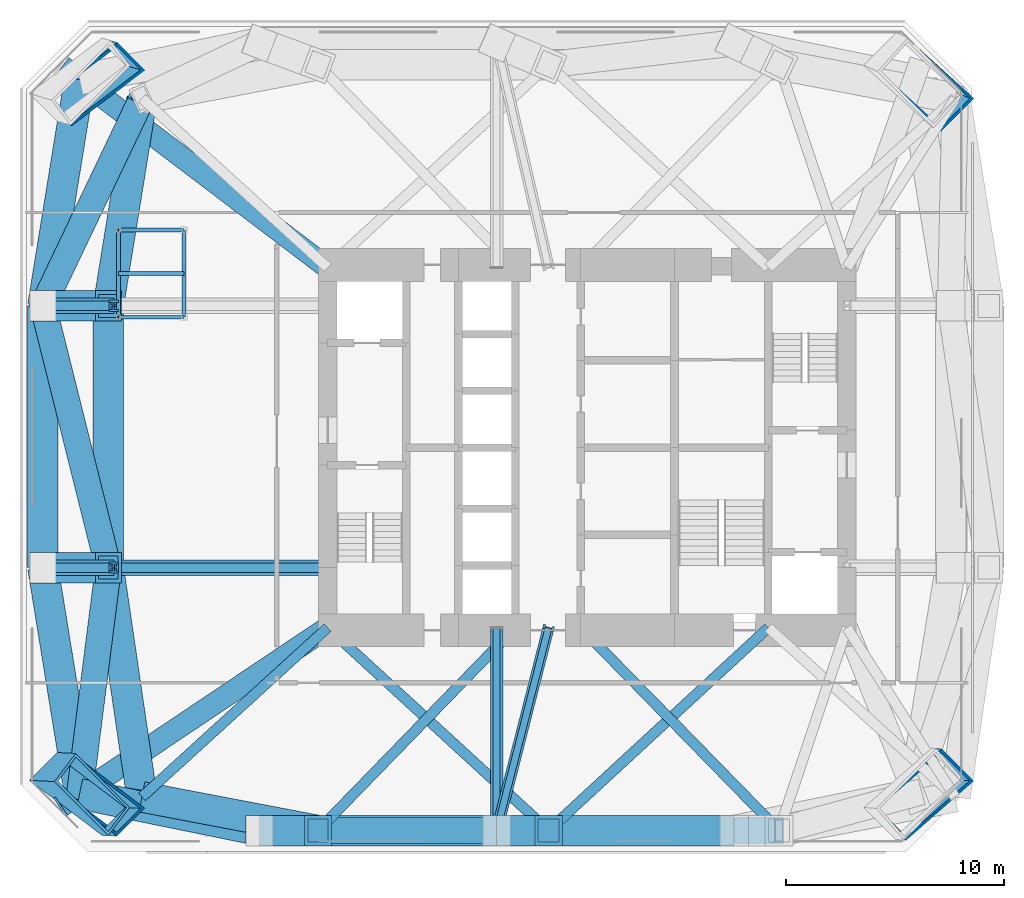
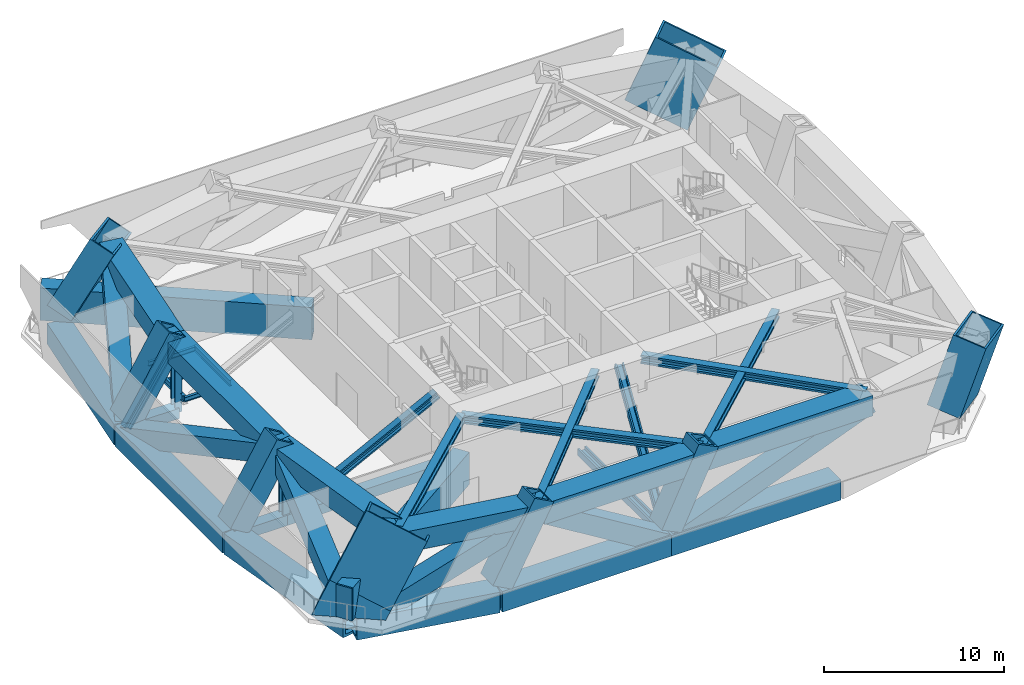
# One storey, part 1 of 11: 39 members, 7 beams, 4 columns.
"""IFC4 building model written with IfcOpenShell, lengths in metres."""

from ifc_helpers import new_model, si_unit, direction, frame, origin, origin_2d, place, context, subcontext, project, spatial, rectangle, hollow_rectangle, i_section, extrude, clip, halfspace, material, material_profile, profile_set, type_object, element, save


model = new_model("IFC4")

# Units and contexts
model_context = context("Model", 3, precision=1e-05, world=origin(), true_north=direction((0.0, 1.0)))
body_context = subcontext(model_context, "Body", "Model", "MODEL_VIEW")
ifc_project = project(units=[si_unit("LENGTHUNIT", "METRE"), si_unit("AREAUNIT", "SQUARE_METRE"), si_unit("VOLUMEUNIT", "CUBIC_METRE"), si_unit("PLANEANGLEUNIT", "RADIAN"), si_unit("MASSUNIT", "GRAM", prefix="KILO")], contexts=[model_context])

# Site, building, storey
site_placement = place(None, origin())
site = spatial("IfcSite", under=ifc_project, at=site_placement, CompositionType="ELEMENT")
building_placement = place(site_placement, origin())
building = spatial("IfcBuilding", under=site, at=building_placement, Name="Jalousie Tower", CompositionType="ELEMENT")
storey_placement = place(building_placement, frame((0.0, 0.0, 144.35009765625)))
storey = spatial("IfcBuildingStorey", under=building, at=storey_placement, Name="L39", CompositionType="ELEMENT", Elevation=144.35009765625)

# Columns
ifc_material_1 = material(Name="Steel EN 10025-2 S355J2 plate", Category="steel")
ifc_material_profile_1 = material_profile(ifc_material_1, hollow_rectangle(XDim=1.699951171875, YDim=3.800048828125, WallThickness=0.125, at=origin_2d()), Name="BOX 3800x1700x125")
ifc_profile_set_1 = profile_set([ifc_material_profile_1], Name="Steel EN 10025-2 S355J2 plate")
column_type_1 = type_object("IfcColumnType", Name="BUILT-UP BOX CORNER COLUMN BOX 3800x1700x125", PredefinedType="COLUMN", material=ifc_profile_set_1)
column_1_placement = place(storey_placement, frame((9.204833984375, 2.60302734375, 1.0029296875), z_axis=(0.496185797587, -0.024535961807, 0.86786959899), x_axis=(0.574504419139, 0.758742156572, -0.30700979175)))
element("IfcColumn", 1, at=column_1_placement, inside=storey, type_object=column_type_1, Name="Corner column raked 01 L39", PredefinedType="COLUMN", context=body_context, shape_type="SweptSolid", body=[
    extrude(hollow_rectangle(XDim=1.699951171875, YDim=3.800048828125, WallThickness=0.125, at=origin_2d()), origin(), (0.0, 0.0, 1.0), 4.60546875),
])
ifc_material_2 = material(Name="Steel EN 10025-2 S355J2 plate", Category="steel")
ifc_material_profile_2 = material_profile(ifc_material_2, hollow_rectangle(XDim=2.10009765625, YDim=3.89990234375, WallThickness=0.125, at=origin_2d()), Name="BOX 3900x2100x125")
ifc_profile_set_2 = profile_set([ifc_material_profile_2], Name="Steel EN 10025-2 S355J2 plate")
column_type_2 = type_object("IfcColumnType", Name="BUILT-UP BOX CORNER COLUMN BOX 3900x2100x125", PredefinedType="COLUMN", material=ifc_profile_set_2)
column_2_placement = place(storey_placement, frame((47.18603515625, 35.224609375, 0.8388671875), z_axis=(0.349327167669, -0.158588311436, 0.923482689282), x_axis=(-0.666102921381, -0.735188870478, 0.125714847386)))
element("IfcColumn", 2, at=column_2_placement, inside=storey, type_object=column_type_2, Name="Corner column raked 08 L39", PredefinedType="COLUMN", context=body_context, shape_type="SweptSolid", body=[
    extrude(hollow_rectangle(XDim=2.10009765625, YDim=3.89990234375, WallThickness=0.125, at=origin_2d()), origin(), (0.0, 0.0, 1.0), 4.506103515625),
])
ifc_material_3 = material(Name="Steel EN 10025-2 S355J2 plate", Category="steel")
ifc_material_profile_3 = material_profile(ifc_material_3, hollow_rectangle(XDim=1.60009765625, YDim=4.0, WallThickness=0.125, at=origin_2d()), Name="BOX 4000x1600x125")
ifc_profile_set_3 = profile_set([ifc_material_profile_3], Name="Steel EN 10025-2 S355J2 plate")
column_type_3 = type_object("IfcColumnType", Name="BUILT-UP BOX CORNER COLUMN BOX 4000x1600x125", PredefinedType="COLUMN", material=ifc_profile_set_3)
column_3_placement = place(storey_placement, frame((9.14111328125, 35.215576171875, 0.891845703125), z_axis=(0.490909795378, -0.147453219775, 0.858641439007), x_axis=(0.544091146269, -0.717848892174, -0.434347548117)))
element("IfcColumn", 3, at=column_3_placement, inside=storey, type_object=column_type_3, Name="Corner column raked 12 L39", PredefinedType="COLUMN", context=body_context, shape_type="SweptSolid", body=[
    extrude(hollow_rectangle(XDim=1.60009765625, YDim=4.0, WallThickness=0.125, at=origin_2d()), origin(), (0.0, 0.0, 1.0), 4.784423828125),
])
ifc_material_4 = material(Name="Steel EN 10025-2 S355J2 plate", Category="steel")
ifc_material_profile_4 = material_profile(ifc_material_4, hollow_rectangle(XDim=2.0, YDim=4.0, WallThickness=0.125, at=origin_2d()), Name="BOX 4000x2000x125")
ifc_profile_set_4 = profile_set([ifc_material_profile_4], Name="Steel EN 10025-2 S355J2 plate")
column_type_4 = type_object("IfcColumnType", Name="BUILT-UP BOX CORNER COLUMN BOX 4000x2000x125", PredefinedType="COLUMN", material=ifc_profile_set_4)
column_4_placement = place(storey_placement, frame((47.149169921875, 2.6103515625, 0.741455078125), z_axis=(0.353681007575, -0.026433626357, 0.934992517766), x_axis=(-0.635447068819, 0.726725043454, 0.260917101675)))
element("IfcColumn", 4, at=column_4_placement, inside=storey, type_object=column_type_4, Name="Corner column raked 05 L39", PredefinedType="COLUMN", context=body_context, shape_type="SweptSolid", body=[
    extrude(hollow_rectangle(XDim=2.0, YDim=4.0, WallThickness=0.125, at=origin_2d()), origin(), (0.0, 0.0, 1.0), 4.5546875),
])

# Members
ifc_material_5 = material(Name="Steel EN 10025-2 S355J2 plate", Category="steel")
ifc_material_profile_5 = material_profile(ifc_material_5, hollow_rectangle(XDim=1.39990234375, YDim=1.39990234375, WallThickness=0.175048828125, at=origin_2d()), Name="BOX 1400x1400x175")
ifc_profile_set_5 = profile_set([ifc_material_profile_5], Name="Steel EN 10025-2 S355J2 plate")
member_type_1 = type_object("IfcMemberType", Name="BELT TRUSS CHORD BOX 1400x1400x175", PredefinedType="CHORD", material=ifc_profile_set_5)
member_1_placement = place(storey_placement, frame((8.63134765625, 2.63134765625, -0.97998046875), z_axis=(0.97982690954, -0.199848010602, 0.0), x_axis=(0.199848010602, 0.97982690954, 0.0)))
element("IfcMember", 5, at=member_1_placement, inside=storey, type_object=member_type_1, Name="Belt truss T2 01-02 chord L39", PredefinedType="CHORD", context=body_context, shape_type="SweptSolid", body=[
    extrude(hollow_rectangle(XDim=1.39990234375, YDim=1.39990234375, WallThickness=0.175048828125, at=origin_2d()), origin(), (0.0, 0.0, 1.0), 8.413330078125),
])
member_2_placement = place(storey_placement, frame((11.489990234375, 2.489990234375, 4.02001953125), z_axis=(0.982284440506, -0.187396045689, 0.0), x_axis=(0.187396045689, 0.982284440506, 0.0)))
element("IfcMember", 6, at=member_2_placement, inside=storey, type_object=member_type_1, Name="Belt truss T2 01-02 chord L40", PredefinedType="CHORD", context=body_context, shape_type="SweptSolid", body=[
    extrude(hollow_rectangle(XDim=1.39990234375, YDim=1.39990234375, WallThickness=0.175048828125, at=origin_2d()), origin(), (0.0, 0.0, 1.0), 8.218017578125),
])
member_3_placement = place(storey_placement, frame((16.875, 0.949951171875, -0.97998046875), z_axis=(1.0, 0.0, 0.0), x_axis=(0.0, 1.0, 0.0)))
element("IfcMember", 7, at=member_3_placement, inside=storey, type_object=member_type_1, Name="Belt truss T2 02-03 chord L39", PredefinedType="CHORD", context=body_context, shape_type="SweptSolid", body=[
    extrude(hollow_rectangle(XDim=1.39990234375, YDim=1.39990234375, WallThickness=0.175048828125, at=origin_2d()), origin(), (0.0, 0.0, 1.0), 10.875),
])
member_4_placement = place(storey_placement, frame((19.5625, 0.949951171875, 4.02001953125), z_axis=(1.0, 0.0, 0.0), x_axis=(0.0, 1.0, 0.0)))
element("IfcMember", 8, at=member_4_placement, inside=storey, type_object=member_type_1, Name="Belt truss T2 02-03 chord L40", PredefinedType="CHORD", context=body_context, shape_type="SweptSolid", body=[
    extrude(hollow_rectangle(XDim=1.39990234375, YDim=1.39990234375, WallThickness=0.175048828125, at=origin_2d()), origin(), (0.0, 0.0, 1.0), 10.5625),
])
member_5_placement = place(storey_placement, frame((27.75, 0.949951171875, -0.97998046875), z_axis=(1.0, 0.0, 0.0), x_axis=(0.0, 1.0, 0.0)))
element("IfcMember", 9, at=member_5_placement, inside=storey, type_object=member_type_1, Name="Belt truss T2 03-04 chord L39", PredefinedType="CHORD", context=body_context, shape_type="SweptSolid", body=[
    extrude(hollow_rectangle(XDim=1.39990234375, YDim=1.39990234375, WallThickness=0.175048828125, at=origin_2d()), origin(), (0.0, 0.0, 1.0), 10.875),
])
member_6_placement = place(storey_placement, frame((30.125, 0.949951171875, 4.02001953125), z_axis=(1.0, 0.0, 0.0), x_axis=(0.0, 1.0, 0.0)))
element("IfcMember", 10, at=member_6_placement, inside=storey, type_object=member_type_1, Name="Belt truss T2 03-04 chord L40", PredefinedType="CHORD", context=body_context, shape_type="SweptSolid", body=[
    extrude(hollow_rectangle(XDim=1.39990234375, YDim=1.39990234375, WallThickness=0.175048828125, at=origin_2d()), origin(), (0.0, 0.0, 1.0), 10.5625),
])
member_7_placement = place(storey_placement, frame((8.63134765625, 35.36865234375, -0.97998046875), z_axis=(-0.160070546476, -0.987105577003, 0.0), x_axis=(0.987105577003, -0.160070546476, 0.0)))
element("IfcMember", 11, at=member_7_placement, inside=storey, type_object=member_type_1, Name="Belt truss T2 12-13 chord L39", PredefinedType="CHORD", context=body_context, shape_type="SweptSolid", body=[
    extrude(hollow_rectangle(XDim=1.39990234375, YDim=1.39990234375, WallThickness=0.175048828125, at=origin_2d()), origin(), (0.0, 0.0, 1.0), 10.504150390625),
])
member_8_placement = place(storey_placement, frame((11.489990234375, 34.510009765625, 4.02001953125), z_axis=(-0.159856263257, -0.987140301628, 0.0), x_axis=(0.987140301628, -0.159856263257, 0.0)))
element("IfcMember", 12, at=member_8_placement, inside=storey, type_object=member_type_1, Name="Belt truss T2 12-13 chord L40", PredefinedType="CHORD", context=body_context, shape_type="SweptSolid", body=[
    extrude(hollow_rectangle(XDim=1.39990234375, YDim=1.39990234375, WallThickness=0.175048828125, at=origin_2d()), origin(), (0.0, 0.0, 1.0), 9.6337890625),
])
for number, where, z_axis, x_axis, name in (
    (13, (6.949951171875, 25.0, -0.97998046875), (0.0, -1.0, 0.0), (1.0, 0.0, 0.0), "Belt truss T2 13-14 chord L39"),
    (14, (9.949951171875, 25.0, 4.02001953125), (0.0, -1.0, 0.0), (1.0, 0.0, 0.0), "Belt truss T2 13-14 chord L40"),
):
    element("IfcMember", number, at=place(storey_placement, frame(where, z_axis=z_axis, x_axis=x_axis)), inside=storey, type_object=member_type_1, Name=name, PredefinedType="CHORD", context=body_context, shape_type="SweptSolid", body=[
        extrude(hollow_rectangle(XDim=1.39990234375, YDim=1.39990234375, WallThickness=0.175048828125, at=origin_2d()), origin(), (0.0, 0.0, 1.0), 12.0),
    ])
member_9_placement = place(storey_placement, frame((6.949951171875, 13.0, -0.97998046875), z_axis=(0.160070546476, -0.987105577003, 0.0), x_axis=(0.987105577003, 0.160070546476, 0.0)))
element("IfcMember", 15, at=member_9_placement, inside=storey, type_object=member_type_1, Name="Belt truss T2 14-01 chord L39", PredefinedType="CHORD", context=body_context, shape_type="SweptSolid", body=[
    extrude(hollow_rectangle(XDim=1.39990234375, YDim=1.39990234375, WallThickness=0.175048828125, at=origin_2d()), origin(), (0.0, 0.0, 1.0), 10.504150390625),
])
member_10_placement = place(storey_placement, frame((9.949951171875, 13.0, 4.02001953125), z_axis=(0.144982486674, -0.989434221441, 0.0), x_axis=(0.989434221441, 0.144982486674, 0.0)))
element("IfcMember", 16, at=member_10_placement, inside=storey, type_object=member_type_1, Name="Belt truss T2 14-01 chord L40", PredefinedType="CHORD", context=body_context, shape_type="SweptSolid", body=[
    extrude(hollow_rectangle(XDim=1.39990234375, YDim=1.39990234375, WallThickness=0.175048828125, at=origin_2d()), origin(), (0.0, 0.0, 1.0), 10.622314453125),
])
ifc_material_6 = material(Name="Steel EN 10025-2 S355J2 plate", Category="steel")
ifc_material_profile_6 = material_profile(ifc_material_6, hollow_rectangle(XDim=1.199951171875, YDim=1.199951171875, WallThickness=0.125, at=origin_2d()), Name="BOX 1200x1200x125")
ifc_profile_set_6 = profile_set([ifc_material_profile_6], Name="Steel EN 10025-2 S355J2 plate")
member_type_2 = type_object("IfcMemberType", Name="BELT TRUSS DIAGONAL BOX 1200x1200x125", PredefinedType="BRACE", material=ifc_profile_set_6)
member_11_placement = place(storey_placement, frame((8.63134765625, 2.63134765625, -0.97998046875), z_axis=(0.900615133037, -0.138529870488, 0.411948852562), x_axis=(0.152028984622, 0.988376035644, 0.0)))
element("IfcMember", 17, at=member_11_placement, inside=storey, type_object=member_type_2, Name="Belt truss T2 01-02 diagonal L39", PredefinedType="BRACE", context=body_context, shape_type="SweptSolid", body=[
    extrude(hollow_rectangle(XDim=1.199951171875, YDim=1.199951171875, WallThickness=0.125, at=origin_2d()), origin(), (0.0, 0.0, 1.0), 12.137451171875),
])
member_12_placement = place(storey_placement, frame((19.5625, 0.949951171875, 4.02001953125), z_axis=(0.853442833721, 0.0, -0.521186463341), x_axis=(0.0, 1.0, 0.0)))
element("IfcMember", 18, at=member_12_placement, inside=storey, type_object=member_type_2, Name="Belt truss T2 02-03 diagonal L39", PredefinedType="BRACE", context=body_context, shape_type="SweptSolid", body=[
    extrude(hollow_rectangle(XDim=1.199951171875, YDim=1.199951171875, WallThickness=0.125, at=origin_2d()), origin(), (0.0, 0.0, 1.0), 9.593505859375),
])
member_13_placement = place(storey_placement, frame((27.75, 0.949951171875, -0.97998046875), z_axis=(0.932763701483, 0.0, 0.360488387047), x_axis=(0.0, 1.0, 0.0)))
element("IfcMember", 19, at=member_13_placement, inside=storey, type_object=member_type_2, Name="Belt truss T2 03-04 diagonal L39", PredefinedType="BRACE", context=body_context, shape_type="SweptSolid", body=[
    extrude(hollow_rectangle(XDim=1.199951171875, YDim=1.199951171875, WallThickness=0.125, at=origin_2d()), origin(), (0.0, 0.0, 1.0), 13.8701171875),
])
member_14_placement = place(storey_placement, frame((11.489990234375, 34.510009765625, 4.02001953125), z_axis=(-0.389230389285, -0.815320034083, -0.42866414135), x_axis=(0.902437846653, -0.430820070248, 0.0)))
element("IfcMember", 20, at=member_14_placement, inside=storey, type_object=member_type_2, Name="Belt truss T2 12-13 diagonal L39", PredefinedType="BRACE", context=body_context, shape_type="SweptSolid", body=[
    extrude(hollow_rectangle(XDim=1.199951171875, YDim=1.199951171875, WallThickness=0.125, at=origin_2d()), origin(), (0.0, 0.0, 1.0), 11.6640625),
])
member_15_placement = place(storey_placement, frame((6.949951171875, 25.0, -0.97998046875), z_axis=(0.224859506699, -0.899438026795, 0.374765844498), x_axis=(0.970142500145, 0.242535625036, 0.0)))
element("IfcMember", 21, at=member_15_placement, inside=storey, type_object=member_type_2, Name="Belt truss T2 13-14 diagonal L39", PredefinedType="BRACE", context=body_context, shape_type="SweptSolid", body=[
    extrude(hollow_rectangle(XDim=1.199951171875, YDim=1.199951171875, WallThickness=0.125, at=origin_2d()), origin(), (0.0, 0.0, 1.0), 13.341552734375),
])
member_16_placement = place(storey_placement, frame((9.949951171875, 13.0, 4.02001953125), z_axis=(-0.113804872433, -0.894888526608, -0.431535602188), x_axis=(0.992010406459, -0.126156067937, 0.0)))
element("IfcMember", 22, at=member_16_placement, inside=storey, type_object=member_type_2, Name="Belt truss T2 14-01 diagonal L39", PredefinedType="BRACE", context=body_context, shape_type="SweptSolid", body=[
    extrude(hollow_rectangle(XDim=1.199951171875, YDim=1.199951171875, WallThickness=0.125, at=origin_2d()), origin(), (0.0, 0.0, 1.0), 11.58642578125),
])
ifc_material_7 = material(Name="Steel ASTM A572 Grade 50 plate", Category="steel")
ifc_material_profile_7 = material_profile(ifc_material_7, rectangle(XDim=1.0, YDim=2.199951171875, at=origin_2d()), Name="END PLATE 1000x2200x100")
ifc_profile_set_7 = profile_set([ifc_material_profile_7], Name="Steel ASTM A572 Grade 50 plate")
member_type_3 = type_object("IfcMemberType", Name="END PLATE 1000x2200x100", PredefinedType="MEMBER", material=ifc_profile_set_7)
member_17_placement = place(storey_placement, frame((7.717529296875, 2.01904296875, 1.099853515625), z_axis=(0.831299432587, 0.555824840557, 0.0), x_axis=(-0.555824840557, 0.831299432587, 0.0)))
element("IfcMember", 23, at=member_17_placement, inside=storey, type_object=member_type_3, Name="Kink collector end plate 01 L39", PredefinedType="MEMBER", context=body_context, shape_type="SweptSolid", body=[
    extrude(rectangle(XDim=1.0, YDim=2.199951171875, at=origin_2d()), origin(), (0.0, 0.0, 1.0), 0.10009765625),
])

# Beams
ifc_material_8 = material(Name="Steel ASTM A572 Grade 50 plate", Category="steel")
ifc_material_profile_8 = material_profile(ifc_material_8, hollow_rectangle(XDim=1.0, YDim=2.199951171875, WallThickness=0.10009765625, at=origin_2d()), Name="BOX 2200x1000x100")
ifc_profile_set_8 = profile_set([ifc_material_profile_8], Name="Steel ASTM A572 Grade 50 plate")
beam_type_1 = type_object("IfcBeamType", Name="KINK COLLECTOR BOX 2200x1000x100", PredefinedType="BEAM", material=ifc_profile_set_8)
beam_1_placement = place(storey_placement, frame((7.80078125, 2.07470703125, 1.099853515625), z_axis=(0.830712777244, 0.556701249976, 0.0), x_axis=(-0.556701249976, 0.830712777244, 0.0)))
element("IfcBeam", 24, at=beam_1_placement, inside=storey, type_object=beam_type_1, Name="Kink collector 01 L39", PredefinedType="BEAM", context=body_context, shape_type="SweptSolid", body=[
    extrude(hollow_rectangle(XDim=1.0, YDim=2.199951171875, WallThickness=0.10009765625, at=origin_2d()), origin(), (0.0, 0.0, 1.0), 14.685302734375),
])
beam_2_placement = place(storey_placement, frame((7.83447265625, 35.97265625, 1.099853515625), z_axis=(0.796891968456, -0.604121834244, 0.0), x_axis=(0.604121834244, 0.796891968456, 0.0)))
element("IfcBeam", 25, at=beam_2_placement, inside=storey, type_object=beam_type_1, Name="Kink collector 12 L39", PredefinedType="BEAM", context=body_context, shape_type="SweptSolid", body=[
    extrude(hollow_rectangle(XDim=1.0, YDim=2.199951171875, WallThickness=0.10009765625, at=origin_2d()), origin(), (0.0, 0.0, 1.0), 15.26611328125),
])

# Members
ifc_material_9 = material(Name="Steel ASTM A992 Grade 50", Category="steel")
ifc_material_profile_9 = material_profile(ifc_material_9, i_section(OverallWidth=0.472412109375, OverallDepth=0.5791015625, WebThickness=0.094970703125, FlangeThickness=0.1298828125, at=origin_2d()), Name="W14X808")
ifc_profile_set_9 = profile_set([ifc_material_profile_9], Name="Steel ASTM A992 Grade 50")
member_type_4 = type_object("IfcMemberType", Name="KINK FLOOR TRUSS DIAGONAL W14X808", PredefinedType="BRACE", material=ifc_profile_set_9)
member_18_placement = place(storey_placement, frame((11.489990234375, 2.489990234375, 4.430419921875), z_axis=(0.738917661315, 0.673795732991, 0.0), x_axis=(-0.673795732991, 0.738917661315, 0.0)))
element("IfcMember", 26, at=member_18_placement, inside=storey, type_object=member_type_4, Name="Kink floor truss L40 01 diagonal", PredefinedType="BRACE", context=body_context, shape_type="SweptSolid", body=[
    extrude(i_section(OverallWidth=0.472412109375, OverallDepth=0.5791015625, WebThickness=0.094970703125, FlangeThickness=0.1298828125, at=origin_2d()), origin(), (0.0, 0.0, 1.0), 11.516845703125),
])
member_19_placement = place(storey_placement, frame((19.5625, 0.949951171875, 4.430419921875), z_axis=(0.696915188325, 0.717153554186, 0.0), x_axis=(-0.717153554186, 0.696915188325, 0.0)))
element("IfcMember", 27, at=member_19_placement, inside=storey, type_object=member_type_4, Name="Kink floor truss L40 02 diagonal", PredefinedType="BRACE", context=body_context, shape_type="SweptSolid", body=[
    extrude(i_section(OverallWidth=0.472412109375, OverallDepth=0.5791015625, WebThickness=0.094970703125, FlangeThickness=0.1298828125, at=origin_2d()), origin(), (0.0, 0.0, 1.0), 12.968017578125),
])
member_20_placement = place(storey_placement, frame((30.125, 0.949951171875, 4.430419921875), z_axis=(-0.736472650749, 0.676467319757, 0.0), x_axis=(-0.676467319757, -0.736472650749, 0.0)))
element("IfcMember", 28, at=member_20_placement, inside=storey, type_object=member_type_4, Name="Kink floor truss L40 03 diagonal", PredefinedType="BRACE", context=body_context, shape_type="SweptSolid", body=[
    extrude(i_section(OverallWidth=0.472412109375, OverallDepth=0.5791015625, WebThickness=0.094970703125, FlangeThickness=0.1298828125, at=origin_2d()), origin(), (0.0, 0.0, 1.0), 13.748046875),
])
member_21_placement = place(storey_placement, frame((30.125, 0.949951171875, 4.430419921875), z_axis=(0.734800031328, 0.678283800455, 0.0), x_axis=(-0.678283800455, 0.734800031328, 0.0)))
element("IfcMember", 29, at=member_21_placement, inside=storey, type_object=member_type_4, Name="Kink floor truss L40 03 diagonal", PredefinedType="BRACE", context=body_context, shape_type="SweptSolid", body=[
    extrude(i_section(OverallWidth=0.472412109375, OverallDepth=0.5791015625, WebThickness=0.094970703125, FlangeThickness=0.1298828125, at=origin_2d()), origin(), (0.0, 0.0, 1.0), 13.711181640625),
])
member_22_placement = place(storey_placement, frame((40.6875, 0.949951171875, 4.430419921875), z_axis=(-0.698882526017, 0.715236474761, 0.0), x_axis=(-0.715236474761, -0.698882526017, 0.0)))
element("IfcMember", 30, at=member_22_placement, inside=storey, type_object=member_type_4, Name="Kink floor truss L40 04 diagonal", PredefinedType="BRACE", context=body_context, shape_type="SweptSolid", body=[
    extrude(i_section(OverallWidth=0.472412109375, OverallDepth=0.5791015625, WebThickness=0.094970703125, FlangeThickness=0.1298828125, at=origin_2d()), origin(), (0.0, 0.0, 1.0), 13.002685546875),
])
ifc_material_10 = material(Name="Steel EN 10025-2 S355J2 plate", Category="steel")
ifc_material_profile_10 = material_profile(ifc_material_10, hollow_rectangle(XDim=1.699951171875, YDim=3.800048828125, WallThickness=0.125, at=origin_2d()), Name="BOX 3800x1700x125")
ifc_profile_set_10 = profile_set([ifc_material_profile_10], Name="Steel EN 10025-2 S355J2 plate")
member_type_5 = type_object("IfcMemberType", Name="KINK NODE BOX 3800x1700x125", PredefinedType="MEMBER", material=ifc_profile_set_10)
member_23_placement = place(storey_placement, frame((8.05810546875, 2.659912109375, -1.003173828125), z_axis=(0.496113786438, -0.024610285765, 0.86790866152), x_axis=(0.574647345857, 0.758650980558, -0.306967616529)))
element("IfcMember", 31, at=member_23_placement, inside=storey, type_object=member_type_5, Name="Kink node of corner column 01 at +144.350", PredefinedType="MEMBER", context=body_context, shape_type="Clipping", body=[
    clip(extrude(hollow_rectangle(XDim=1.699951171875, YDim=3.800048828125, WallThickness=0.125, at=origin_2d()), origin(), (0.0, 0.0, 1.0), 2.3115234375), halfspace(frame((0.0, 0.0, 1.15576171875), z_axis=(-0.306967616529, 0.390519445945, 0.86790866152)), True)),
])
ifc_material_11 = material(Name="Steel ASTM A992 Grade 50", Category="steel")
ifc_material_profile_11 = material_profile(ifc_material_11, i_section(OverallWidth=0.45458984375, OverallDepth=0.569091796875, WebThickness=0.077880859375, FlangeThickness=0.124755859375, at=origin_2d()), Name="W14X730")
ifc_profile_set_11 = profile_set([ifc_material_profile_11], Name="Steel ASTM A992 Grade 50")
member_type_6 = type_object("IfcMemberType", Name="NORTH-SOUTH OUTRIGGER CHORD W14X730", PredefinedType="CHORD", material=ifc_profile_set_11)
member_24_placement = place(storey_placement, frame((27.75, 0.949951171875, -0.564697265625), z_axis=(0.0, 1.0, 0.0), x_axis=(0.0, 0.0, 1.0)))
element("IfcMember", 32, at=member_24_placement, inside=storey, type_object=member_type_6, Name="Outrigger T2 S03 chord L39", PredefinedType="CHORD", context=body_context, shape_type="SweptSolid", body=[
    extrude(i_section(OverallWidth=0.45458984375, OverallDepth=0.569091796875, WebThickness=0.077880859375, FlangeThickness=0.124755859375, at=origin_2d()), origin(), (0.0, 0.0, 1.0), 9.300048828125),
])
ifc_material_12 = material(Name="Steel ASTM A992 Grade 50", Category="steel")
ifc_material_profile_12 = material_profile(ifc_material_12, i_section(OverallWidth=0.43701171875, OverallDepth=0.51318359375, WebThickness=0.060546875, FlangeThickness=0.096923828125, at=origin_2d()), Name="W14X550")
ifc_profile_set_12 = profile_set([ifc_material_profile_12], Name="Steel ASTM A992 Grade 50")
member_type_7 = type_object("IfcMemberType", Name="NORTH-SOUTH OUTRIGGER DIAGONAL W14X550", PredefinedType="BRACE", material=ifc_profile_set_12)
member_25_placement = place(storey_placement, frame((27.75, 0.949951171875, -0.564697265625), z_axis=(0.219445510307, 0.859306930934, 0.461990548015), x_axis=(-0.114312192613, -0.447624830718, 0.886884847962)))
element("IfcMember", 33, at=member_25_placement, inside=storey, type_object=member_type_7, Name="Outrigger T2 S03 diagonal L39", PredefinedType="BRACE", context=body_context, shape_type="SweptSolid", body=[
    extrude(i_section(OverallWidth=0.43701171875, OverallDepth=0.51318359375, WebThickness=0.060546875, FlangeThickness=0.096923828125, at=origin_2d()), origin(), (0.0, 0.0, 1.0), 10.82275390625),
])
ifc_material_13 = material(Name="Steel ASTM A572 Grade 50 plate", Category="steel")
ifc_material_profile_13 = material_profile(ifc_material_13, hollow_rectangle(XDim=0.699951171875, YDim=0.699951171875, WallThickness=0.070068359375, at=origin_2d()), Name="BOX 700x700x70")
ifc_profile_set_13 = profile_set([ifc_material_profile_13], Name="Steel ASTM A572 Grade 50 plate")
member_type_8 = type_object("IfcMemberType", Name="OUTRIGGER CHORD BOX 700x700x70", PredefinedType="CHORD", material=ifc_profile_set_13)
member_26_placement = place(storey_placement, frame((6.949951171875, 13.0, -0.630126953125), z_axis=(1.0, 0.0, 0.0), x_axis=(0.0, 1.0, 0.0)))
element("IfcMember", 34, at=member_26_placement, inside=storey, type_object=member_type_8, Name="Outrigger T2 west arm at column 14 chord L39", PredefinedType="CHORD", context=body_context, shape_type="SweptSolid", body=[
    extrude(hollow_rectangle(XDim=0.699951171875, YDim=0.699951171875, WallThickness=0.070068359375, at=origin_2d()), origin(), (0.0, 0.0, 1.0), 3.25),
])
member_27_placement = place(storey_placement, frame((10.199951171875, 13.0, -0.630126953125), z_axis=(1.0, 0.0, 0.0), x_axis=(0.0, 1.0, 0.0)))
element("IfcMember", 35, at=member_27_placement, inside=storey, type_object=member_type_8, Name="Outrigger T2 west arm at column 14 chord L39", PredefinedType="CHORD", context=body_context, shape_type="SweptSolid", body=[
    extrude(hollow_rectangle(XDim=0.699951171875, YDim=0.699951171875, WallThickness=0.070068359375, at=origin_2d()), origin(), (0.0, 0.0, 1.0), 9.800048828125),
])
member_28_placement = place(storey_placement, frame((6.949951171875, 25.0, -0.630126953125), z_axis=(1.0, 0.0, 0.0), x_axis=(0.0, 1.0, 0.0)))
element("IfcMember", 36, at=member_28_placement, inside=storey, type_object=member_type_8, Name="Outrigger T2 west arm at column 13 chord L39", PredefinedType="CHORD", context=body_context, shape_type="SweptSolid", body=[
    extrude(hollow_rectangle(XDim=0.699951171875, YDim=0.699951171875, WallThickness=0.070068359375, at=origin_2d()), origin(), (0.0, 0.0, 1.0), 3.25),
])
ifc_material_14 = material(Name="Steel ASTM A992 Grade 50", Category="steel")
ifc_material_profile_14 = material_profile(ifc_material_14, i_section(OverallWidth=0.43701171875, OverallDepth=0.51318359375, WebThickness=0.060546875, FlangeThickness=0.096923828125, at=origin_2d()), Name="W14X550")
ifc_profile_set_14 = profile_set([ifc_material_profile_14], Name="Steel ASTM A992 Grade 50")
member_type_9 = type_object("IfcMemberType", Name="OUTRIGGER DIAGONAL W14X550", PredefinedType="BRACE", material=ifc_profile_set_14)
member_29_placement = place(storey_placement, frame((6.949951171875, 13.0, -0.630126953125), z_axis=(0.544988350595, 0.0, 0.838443616301), x_axis=(0.0, 1.0, 0.0)))
element("IfcMember", 37, at=member_29_placement, inside=storey, type_object=member_type_9, Name="Outrigger T2 west arm at column 14 diagonal L39", PredefinedType="BRACE", context=body_context, shape_type="SweptSolid", body=[
    extrude(i_section(OverallWidth=0.43701171875, OverallDepth=0.51318359375, WebThickness=0.060546875, FlangeThickness=0.096923828125, at=origin_2d()), origin(), (0.0, 0.0, 1.0), 5.96337890625),
])
member_30_placement = place(storey_placement, frame((10.199951171875, 13.0, -0.630126953125), z_axis=(0.890762786381, 0.0, 0.454468545006), x_axis=(0.0, 1.0, 0.0)))
element("IfcMember", 38, at=member_30_placement, inside=storey, type_object=member_type_9, Name="Outrigger T2 west arm at column 14 diagonal L39", PredefinedType="BRACE", context=body_context, shape_type="SweptSolid", body=[
    extrude(i_section(OverallWidth=0.43701171875, OverallDepth=0.51318359375, WebThickness=0.060546875, FlangeThickness=0.096923828125, at=origin_2d()), origin(), (0.0, 0.0, 1.0), 11.001953125),
])
member_31_placement = place(storey_placement, frame((6.949951171875, 25.0, -0.630126953125), z_axis=(0.544988350595, 0.0, 0.838443616301), x_axis=(0.0, 1.0, 0.0)))
element("IfcMember", 39, at=member_31_placement, inside=storey, type_object=member_type_9, Name="Outrigger T2 west arm at column 13 diagonal L39", PredefinedType="BRACE", context=body_context, shape_type="SweptSolid", body=[
    extrude(i_section(OverallWidth=0.43701171875, OverallDepth=0.51318359375, WebThickness=0.060546875, FlangeThickness=0.096923828125, at=origin_2d()), origin(), (0.0, 0.0, 1.0), 5.96337890625),
])
ifc_material_15 = material(Name="Steel ASTM A992 Grade 50", Category="steel")
ifc_material_profile_15 = material_profile(ifc_material_15, i_section(OverallWidth=0.43701171875, OverallDepth=0.51318359375, WebThickness=0.060546875, FlangeThickness=0.096923828125, at=origin_2d()), Name="W14X550")
ifc_profile_set_15 = profile_set([ifc_material_profile_15], Name="Steel ASTM A992 Grade 50")
member_type_10 = type_object("IfcMemberType", Name="OUTRIGGER POST W14X550", PredefinedType="POST", material=ifc_profile_set_15)
for number, where, z_axis, x_axis, name in (
    (40, (10.199951171875, 13.0, -0.630126953125), (0.0, 0.0, 1.0), (1.0, 0.0, 0.0), "Outrigger T2 west arm at column 14 post L39"),
    (41, (10.199951171875, 25.0, -0.630126953125), (0.0, 0.0, 1.0), (1.0, 0.0, 0.0), "Outrigger T2 west arm at column 13 post L39"),
):
    element("IfcMember", number, at=place(storey_placement, frame(where, z_axis=z_axis, x_axis=x_axis)), inside=storey, type_object=member_type_10, Name=name, PredefinedType="POST", context=body_context, shape_type="SweptSolid", body=[
        extrude(i_section(OverallWidth=0.43701171875, OverallDepth=0.51318359375, WebThickness=0.060546875, FlangeThickness=0.096923828125, at=origin_2d()), origin(), (0.0, 0.0, 1.0), 5.0),
    ])

# Beams
ifc_material_16 = material(Name="Steel ASTM A992 Grade 50", Category="steel")
ifc_material_profile_16 = material_profile(ifc_material_16, i_section(OverallWidth=0.164794921875, OverallDepth=0.309814453125, WebThickness=0.005859375, FlangeThickness=0.009765625, at=origin_2d()), Name="W12X26")
ifc_profile_set_16 = profile_set([ifc_material_profile_16], Name="Steel ASTM A992 Grade 50")
beam_type_2 = type_object("IfcBeamType", Name="PLANT SUPPORT BEAM W12X26", PredefinedType="BEAM", material=ifc_profile_set_16)
for number, where, z_axis, x_axis, name in (
    (42, (10.41259765625, 24.485107421875, 0.35498046875), (1.0, 0.0, 0.0), (0.0, 1.0, 0.0), "Plant support cross beam Electrical plant room L39"),
    (43, (10.41259765625, 26.47998046875, 0.35498046875), (1.0, 0.0, 0.0), (0.0, 1.0, 0.0), "Plant support cross beam Electrical plant room L39"),
    (44, (10.41259765625, 28.47509765625, 0.35498046875), (1.0, 0.0, 0.0), (0.0, 1.0, 0.0), "Plant support cross beam Electrical plant room L39"),
):
    element("IfcBeam", number, at=place(storey_placement, frame(where, z_axis=z_axis, x_axis=x_axis)), inside=storey, type_object=beam_type_2, Name=name, PredefinedType="BEAM", context=body_context, shape_type="SweptSolid", body=[
        extrude(i_section(OverallWidth=0.164794921875, OverallDepth=0.309814453125, WebThickness=0.005859375, FlangeThickness=0.009765625, at=origin_2d()), origin(), (0.0, 0.0, 1.0), 3.0),
    ])
ifc_material_17 = material(Name="Steel ASTM A992 Grade 50", Category="steel")
ifc_material_profile_17 = material_profile(ifc_material_17, i_section(OverallWidth=0.177734375, OverallDepth=0.406494140625, WebThickness=0.0078125, FlangeThickness=0.0126953125, at=origin_2d()), Name="W16X40")
ifc_profile_set_17 = profile_set([ifc_material_profile_17], Name="Steel ASTM A992 Grade 50")
beam_type_3 = type_object("IfcBeamType", Name="PLANT SUPPORT BEAM W16X40", PredefinedType="BEAM", material=ifc_profile_set_17)
for number, where, z_axis, x_axis, name in (
    (45, (10.41259765625, 24.485107421875, 0.403076171875), (0.0, 1.0, 0.0), (-1.0, 0.0, 0.0), "Plant support runner Electrical plant room L39"),
    (46, (13.41259765625, 24.485107421875, 0.403076171875), (0.0, 1.0, 0.0), (-1.0, 0.0, 0.0), "Plant support runner Electrical plant room L39"),
):
    element("IfcBeam", number, at=place(storey_placement, frame(where, z_axis=z_axis, x_axis=x_axis)), inside=storey, type_object=beam_type_3, Name=name, PredefinedType="BEAM", context=body_context, shape_type="SweptSolid", body=[
        extrude(i_section(OverallWidth=0.177734375, OverallDepth=0.406494140625, WebThickness=0.0078125, FlangeThickness=0.0126953125, at=origin_2d()), origin(), (0.0, 0.0, 1.0), 3.989990234375),
    ])

# Members
ifc_material_18 = material(Name="Steel EN 10025-2 S355J2 plate", Category="steel")
ifc_material_profile_18 = material_profile(ifc_material_18, hollow_rectangle(XDim=1.39990234375, YDim=1.39990234375, WallThickness=0.175048828125, at=origin_2d()), Name="BOX 1400x1400x175")
ifc_profile_set_18 = profile_set([ifc_material_profile_18], Name="Steel EN 10025-2 S355J2 plate")
member_type_11 = type_object("IfcMemberType", Name="TRANSFER TRUSS STRUT BOX 1400x1400x175", PredefinedType="STRUT", material=ifc_profile_set_18)
member_32_placement = place(storey_placement, frame((16.875, 0.949951171875, 0.0), z_axis=(0.473443113396, 0.0, 0.880824397016), x_axis=(0.0, 1.0, 0.0)))
element("IfcMember", 47, at=member_32_placement, inside=storey, type_object=member_type_11, Name="Transfer truss T2 strut 02 L39", PredefinedType="STRUT", context=body_context, shape_type="SweptSolid", body=[
    extrude(hollow_rectangle(XDim=1.39990234375, YDim=1.39990234375, WallThickness=0.175048828125, at=origin_2d()), origin(), (0.0, 0.0, 1.0), 5.676513671875),
])
member_33_placement = place(storey_placement, frame((27.75, 0.949951171875, 0.0), z_axis=(0.429056814568, 0.0, 0.903277504354), x_axis=(0.0, 1.0, 0.0)))
element("IfcMember", 48, at=member_33_placement, inside=storey, type_object=member_type_11, Name="Transfer truss T2 strut 03 L39", PredefinedType="STRUT", context=body_context, shape_type="SweptSolid", body=[
    extrude(hollow_rectangle(XDim=1.39990234375, YDim=1.39990234375, WallThickness=0.175048828125, at=origin_2d()), origin(), (0.0, 0.0, 1.0), 5.535400390625),
])
for number, where, z_axis, x_axis, name in (
    (49, (6.949951171875, 25.0, 0.0), (0.514495755428, 0.0, 0.857492925713), (0.0, 1.0, 0.0), "Transfer truss T2 strut 13 L39"),
    (50, (6.949951171875, 13.0, 0.0), (0.514495755428, 0.0, 0.857492925713), (0.0, 1.0, 0.0), "Transfer truss T2 strut 14 L39"),
):
    element("IfcMember", number, at=place(storey_placement, frame(where, z_axis=z_axis, x_axis=x_axis)), inside=storey, type_object=member_type_11, Name=name, PredefinedType="STRUT", context=body_context, shape_type="SweptSolid", body=[
        extrude(hollow_rectangle(XDim=1.39990234375, YDim=1.39990234375, WallThickness=0.175048828125, at=origin_2d()), origin(), (0.0, 0.0, 1.0), 5.8310546875),
    ])

save(model, "model.ifc")
